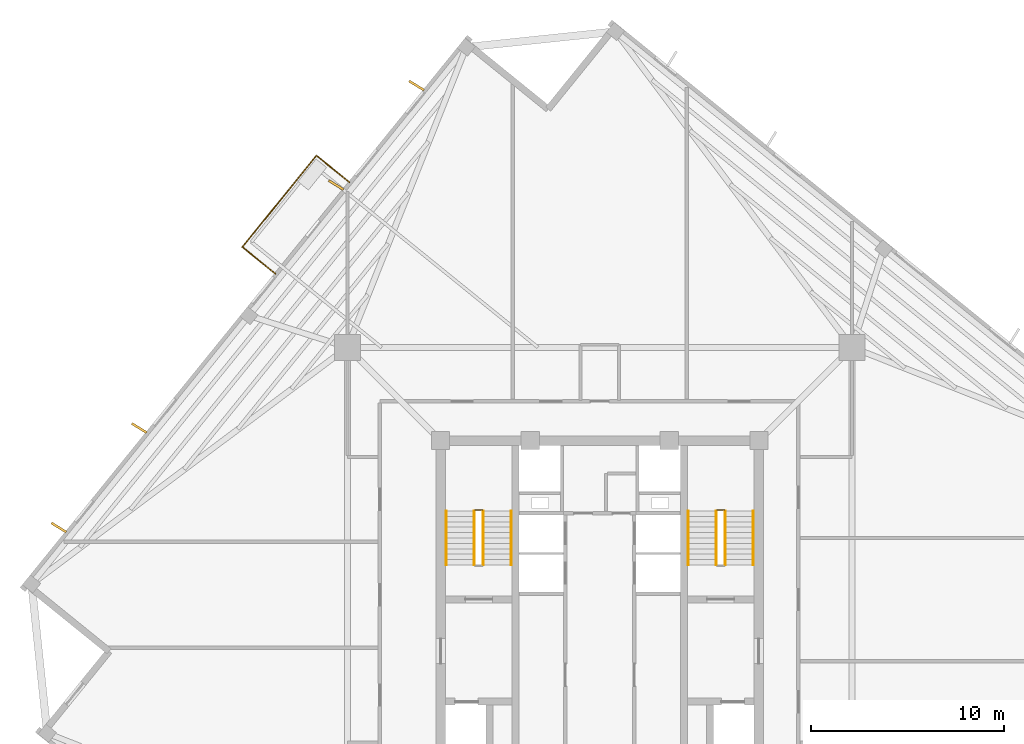
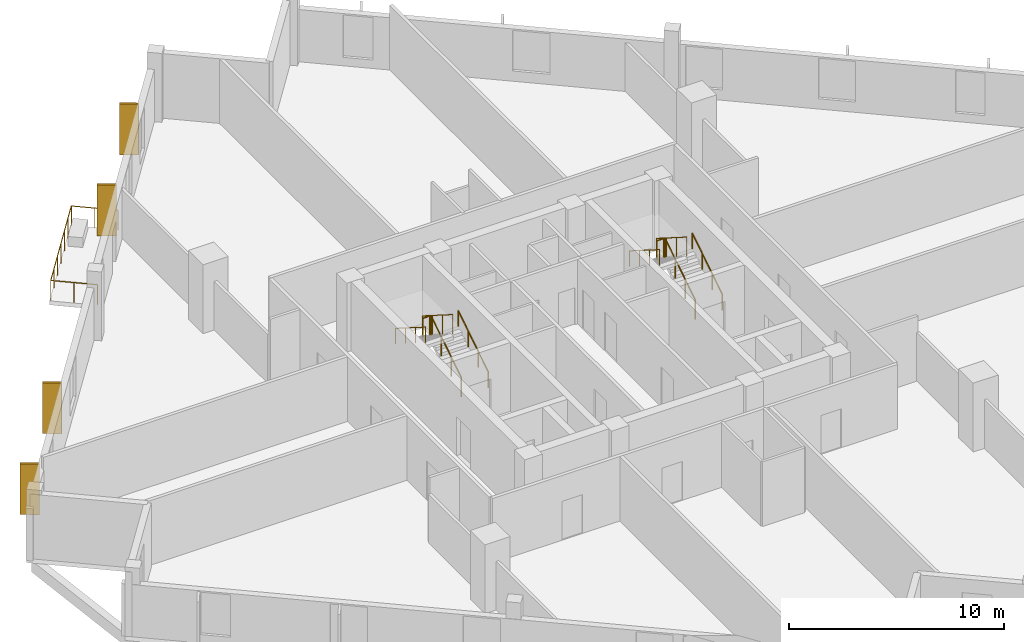
# One storey, part 8 of 9: 13 railings, 4 coverings.
"""IFC4 building model written with IfcOpenShell, lengths in metres."""

from ifc_helpers import new_model, si_unit, direction, frame, origin, origin_2d, place, context, subcontext, project, spatial, rectangle, circle, extrude, source, transform, mapped, material, layer, layer_set, type_object, element, save


model = new_model("IFC4")

# Units and contexts
model_context = context("Model", 3, precision=1e-05, world=origin(), true_north=direction((0.0, 1.0)))
body_context = subcontext(model_context, "Body", "Model", "MODEL_VIEW")
ifc_project = project(units=[si_unit("LENGTHUNIT", "METRE"), si_unit("AREAUNIT", "SQUARE_METRE"), si_unit("VOLUMEUNIT", "CUBIC_METRE"), si_unit("PLANEANGLEUNIT", "RADIAN"), si_unit("MASSUNIT", "GRAM", prefix="KILO"), si_unit("THERMODYNAMICTEMPERATUREUNIT", "KELVIN")], contexts=[model_context])

# Site, building, storey
site_placement = place(None, origin())
site = spatial("IfcSite", under=ifc_project, at=site_placement, CompositionType="ELEMENT")
building_placement = place(site_placement, origin())
building = spatial("IfcBuilding", under=site, at=building_placement, Name="Kosmvard Interchange Tower", CompositionType="ELEMENT")
storey_placement = place(building_placement, frame((0.0, 0.0, 236.800048828125)))
storey = spatial("IfcBuildingStorey", under=building, at=storey_placement, Name="L57", CompositionType="ELEMENT", Elevation=236.800048828125)

# Railings
ifc_material_1 = material(Name="Steel S355", Category="steel")
railing_type_1 = type_object("IfcRailingType", Name="Observation & Balcony Glass-Infill Balustrade 1150", PredefinedType="BALUSTRADE", material=ifc_material_1)
shared_shape_1 = source(origin(), body_context, "Body", "SweptSolid", [
    extrude(circle(Radius=0.02392578125, at=origin_2d()), frame((0.0, 0.0, 1.1259765625), z_axis=(0.777195763313, -0.629258885904, 0.0), x_axis=(0.629258885904, 0.777195763313, 0.0)), (0.0, 0.0, 1.0), 2.199951171875),
    extrude(circle(Radius=0.02099609375, at=origin_2d()), origin(), (0.0, 0.0, 1.0), 1.101806640625),
    extrude(circle(Radius=0.02099609375, at=origin_2d()), frame((0.85498046875, -0.692138671875, 0.0)), (0.0, 0.0, 1.0), 1.101806640625),
    extrude(circle(Radius=0.02099609375, at=origin_2d()), frame((1.709716796875, -1.38427734375, 0.0)), (0.0, 0.0, 1.0), 1.101806640625),
])
railing_1_placement = place(storey_placement, frame((-18.523193359375, 18.281005859375, 0.0)))
element("IfcRailing", 1, at=railing_1_placement, inside=storey, type_object=railing_type_1, Name="L57 Outdoor Terrace Guard BAL-L57-N-C", PredefinedType="BALUSTRADE", context=body_context, shape_type="MappedRepresentation", body=[
    mapped(shared_shape_1, transform((0.0, 0.0, 0.0), scale=1.0)),
])
shared_shape_2 = source(origin(), body_context, "Body", "SweptSolid", [
    extrude(circle(Radius=0.02392578125, at=origin_2d()), frame((0.0, 0.0, 1.1259765625), z_axis=(-0.777141488432, 0.629325914736, 0.0), x_axis=(-0.629325914736, -0.777141488432, 0.0)), (0.0, 0.0, 1.0), 2.199951171875),
    extrude(circle(Radius=0.02099609375, at=origin_2d()), origin(), (0.0, 0.0, 1.0), 1.101806640625),
    extrude(circle(Radius=0.02099609375, at=origin_2d()), frame((-0.85498046875, 0.6923828125, 0.0)), (0.0, 0.0, 1.0), 1.101806640625),
    extrude(circle(Radius=0.02099609375, at=origin_2d()), frame((-1.709716796875, 1.384521484375, 0.0)), (0.0, 0.0, 1.0), 1.101806640625),
])
railing_2_placement = place(storey_placement, frame((-12.974853515625, 21.63720703125, 0.0)))
element("IfcRailing", 2, at=railing_2_placement, inside=storey, type_object=railing_type_1, Name="L57 Outdoor Terrace Guard BAL-L57-N-A", PredefinedType="BALUSTRADE", context=body_context, shape_type="MappedRepresentation", body=[
    mapped(shared_shape_2, transform((0.0, 0.0, 0.0), scale=1.0)),
])

# Coverings
ifc_material_2 = material(Name="Architectural anodised aluminium", Category="aluminium")
ifc_layer = layer(ifc_material_2, 0.1201171875, Name="Architectural anodised aluminium")
ifc_layer_set = layer_set([ifc_layer], Name="Architectural anodised aluminium")
covering_type = type_object("IfcCoveringType", Name="Rotating Vertical Sun-Breaker Fin 900x120 Aluminium", PredefinedType="CLADDING", material=ifc_layer_set)
shared_shape_3 = source(origin(), body_context, "Body", "SweptSolid", [
    extrude(rectangle(XDim=0.89990234375, YDim=0.1201171875, at=origin_2d()), origin(), (0.0, 0.0, 1.0), 2.8798828125),
])
for number, where, z_axis, x_axis, name in (
    (3, (-9.494384765625, 26.650146484375, 0.0400390625), (0.0, 0.0, 1.0), (-0.852092537724, 0.523391160753, 0.0), "L57 Rotating Vertical Sun-Breaker Fin 09"),
    (4, (-13.66748046875, 21.49658203125, 0.0400390625), (0.0, 0.0, 1.0), (-0.852092537724, 0.523391160753, 0.0), "L57 Rotating Vertical Sun-Breaker Fin 10"),
    (5, (-23.86865234375, 8.8994140625, 0.0400390625), (0.0, 0.0, 1.0), (-0.852092537724, 0.523391160753, 0.0), "L57 Rotating Vertical Sun-Breaker Fin 11"),
    (6, (-28.041748046875, 3.74609375, 0.0400390625), (0.0, 0.0, 1.0), (-0.852092537724, 0.523391160753, 0.0), "L57 Rotating Vertical Sun-Breaker Fin 12"),
):
    element("IfcCovering", number, at=place(storey_placement, frame(where, z_axis=z_axis, x_axis=x_axis)), inside=storey, type_object=covering_type, Name=name, PredefinedType="CLADDING", context=body_context, shape_type="MappedRepresentation", body=[
        mapped(shared_shape_3, transform((0.0, 0.0, 0.0), scale=1.0)),
    ])

# Railings
shared_shape_4 = source(origin(), body_context, "Body", "SweptSolid", [
    extrude(circle(Radius=0.02392578125, at=origin_2d()), frame((0.0, 0.0, 1.1259765625), z_axis=(-0.629286879001, -0.777173097783, 0.0), x_axis=(0.777173097783, -0.629286879001, 0.0)), (0.0, 0.0, 1.0), 6.099853515625),
    extrude(circle(Radius=0.02099609375, at=origin_2d()), origin(), (0.0, 0.0, 1.0), 1.101806640625),
    extrude(circle(Radius=0.02099609375, at=origin_2d()), frame((-0.6396484375, -0.7900390625, 0.0)), (0.0, 0.0, 1.0), 1.101806640625),
    extrude(circle(Radius=0.02099609375, at=origin_2d()), frame((-1.279541015625, -1.580322265625, 0.0)), (0.0, 0.0, 1.0), 1.101806640625),
    extrude(circle(Radius=0.02099609375, at=origin_2d()), frame((-1.91943359375, -2.370361328125, 0.0)), (0.0, 0.0, 1.0), 1.101806640625),
    extrude(circle(Radius=0.02099609375, at=origin_2d()), frame((-2.55908203125, -3.160400390625, 0.0)), (0.0, 0.0, 1.0), 1.101806640625),
    extrude(circle(Radius=0.02099609375, at=origin_2d()), frame((-3.19873046875, -3.95068359375, 0.0)), (0.0, 0.0, 1.0), 1.101806640625),
    extrude(circle(Radius=0.02099609375, at=origin_2d()), frame((-3.838623046875, -4.74072265625, 0.0)), (0.0, 0.0, 1.0), 1.101806640625),
])
railing_3_placement = place(storey_placement, frame((-14.6845703125, 23.021728515625, 0.0)))
element("IfcRailing", 7, at=railing_3_placement, inside=storey, type_object=railing_type_1, Name="L57 Outdoor Terrace Guard BAL-L57-N-B", PredefinedType="BALUSTRADE", context=body_context, shape_type="MappedRepresentation", body=[
    mapped(shared_shape_4, transform((0.0, 0.0, 0.0), scale=1.0)),
])
railing_type_2 = type_object("IfcRailingType", Name="Stair & Terrace Safety Guardrail 1100 Steel", PredefinedType="GUARDRAIL", material=ifc_material_1)
shared_shape_5 = source(origin(), body_context, "Body", "SweptSolid", [
    extrude(circle(Radius=0.02392578125, at=origin_2d()), frame((0.0, 0.0, 1.076171875), z_axis=(-1.0, 0.0, 0.0), x_axis=(0.0, -1.0, 0.0)), (0.0, 0.0, 1.0), 0.35986328125),
    extrude(circle(Radius=0.02099609375, at=origin_2d()), origin(), (0.0, 0.0, 1.0), 1.052001953125),
    extrude(circle(Radius=0.02099609375, at=origin_2d()), frame((-0.35986328125, 0.0, 0.0)), (0.0, 0.0, 1.0), 1.052001953125),
])
for number, where, name in (
    (8, (-6.090087890625, 4.64990234375, 1.949951171875), "L57 ST-1 stair guard 2"),
    (9, (6.449951171875, 4.64990234375, 1.949951171875), "L57 ST-2 stair guard 2"),
):
    element("IfcRailing", number, at=place(storey_placement, frame(where)), inside=storey, type_object=railing_type_2, Name=name, PredefinedType="GUARDRAIL", context=body_context, shape_type="MappedRepresentation", body=[
        mapped(shared_shape_5, transform((0.0, 0.0, 0.0), scale=1.0)),
    ])
shared_shape_6 = source(origin(), body_context, "Body", "SweptSolid", [
    extrude(circle(Radius=0.02392578125, at=origin_2d()), frame((0.0, 0.0, 1.076171875), z_axis=(0.0, 0.844908973607, 0.534910110503), x_axis=(-1.0, 0.0, 0.0)), (0.0, 0.0, 1.0), 3.31396484375),
    extrude(circle(Radius=0.02099609375, at=origin_2d()), origin(), (0.0, 0.0, 1.0), 1.052001953125),
    extrude(circle(Radius=0.02099609375, at=origin_2d()), frame((0.0, 0.933349609375, 0.5908203125)), (0.0, 0.0, 1.0), 1.052001953125),
    extrude(circle(Radius=0.02099609375, at=origin_2d()), frame((0.0, 1.86669921875, 1.181884765625)), (0.0, 0.0, 1.0), 1.052001953125),
    extrude(circle(Radius=0.02099609375, at=origin_2d()), frame((0.0, 2.800048828125, 1.772705078125)), (0.0, 0.0, 1.0), 1.052001953125),
])
for number, where, name in (
    (10, (-6.0400390625, 1.800048828125, 0.17724609375), "L57 ST-1 stair guard 1"),
    (11, (6.5, 1.800048828125, 0.17724609375), "L57 ST-2 stair guard 1"),
):
    element("IfcRailing", number, at=place(storey_placement, frame(where)), inside=storey, type_object=railing_type_2, Name=name, PredefinedType="GUARDRAIL", context=body_context, shape_type="MappedRepresentation", body=[
        mapped(shared_shape_6, transform((0.0, 0.0, 0.0), scale=1.0)),
    ])
shared_shape_7 = source(origin(), body_context, "Body", "SweptSolid", [
    extrude(circle(Radius=0.02392578125, at=origin_2d()), frame((0.0, 0.0, 1.076171875), z_axis=(0.0, -0.844908973607, 0.534910110503), x_axis=(1.0, 0.0, 0.0)), (0.0, 0.0, 1.0), 3.31396484375),
    extrude(circle(Radius=0.02099609375, at=origin_2d()), origin(), (0.0, 0.0, 1.0), 1.052001953125),
    extrude(circle(Radius=0.02099609375, at=origin_2d()), frame((0.0, -0.933349609375, 0.5908203125)), (0.0, 0.0, 1.0), 1.052001953125),
    extrude(circle(Radius=0.02099609375, at=origin_2d()), frame((0.0, -1.86669921875, 1.181884765625)), (0.0, 0.0, 1.0), 1.052001953125),
    extrude(circle(Radius=0.02099609375, at=origin_2d()), frame((0.0, -2.800048828125, 1.772705078125)), (0.0, 0.0, 1.0), 1.052001953125),
])
for number, where, name in (
    (12, (-6.5, 4.60009765625, 2.127197265625), "L57 ST-1 stair guard 3"),
    (13, (6.0400390625, 4.60009765625, 2.127197265625), "L57 ST-2 stair guard 3"),
):
    element("IfcRailing", number, at=place(storey_placement, frame(where)), inside=storey, type_object=railing_type_2, Name=name, PredefinedType="GUARDRAIL", context=body_context, shape_type="MappedRepresentation", body=[
        mapped(shared_shape_7, transform((0.0, 0.0, 0.0), scale=1.0)),
    ])
railing_type_3 = type_object("IfcRailingType", Name="Wall-Mounted Stair Handrail 900 Steel", PredefinedType="HANDRAIL", material=ifc_material_1)
shared_shape_8 = source(origin(), body_context, "Body", "SweptSolid", [
    extrude(circle(Radius=0.02392578125, at=origin_2d()), frame((0.0, 0.0, 0.8759765625), z_axis=(0.0, 0.844908973607, 0.534910110503), x_axis=(-1.0, 0.0, 0.0)), (0.0, 0.0, 1.0), 3.31396484375),
    extrude(circle(Radius=0.02099609375, at=origin_2d()), origin(), (0.0, 0.0, 1.0), 0.851806640625),
    extrude(circle(Radius=0.02099609375, at=origin_2d()), frame((0.0, 0.933349609375, 0.5908203125)), (0.0, 0.0, 1.0), 0.851806640625),
    extrude(circle(Radius=0.02099609375, at=origin_2d()), frame((0.0, 1.86669921875, 1.181884765625)), (0.0, 0.0, 1.0), 0.851806640625),
    extrude(circle(Radius=0.02099609375, at=origin_2d()), frame((0.0, 2.800048828125, 1.772705078125)), (0.0, 0.0, 1.0), 0.851806640625),
])
for number, where, name in (
    (14, (-4.590087890625, 1.800048828125, 0.17724609375), "L57 ST-1 stair handrail 1"),
    (15, (7.949951171875, 1.800048828125, 0.17724609375), "L57 ST-2 stair handrail 1"),
):
    element("IfcRailing", number, at=place(storey_placement, frame(where)), inside=storey, type_object=railing_type_3, Name=name, PredefinedType="HANDRAIL", context=body_context, shape_type="MappedRepresentation", body=[
        mapped(shared_shape_8, transform((0.0, 0.0, 0.0), scale=1.0)),
    ])
shared_shape_9 = source(origin(), body_context, "Body", "SweptSolid", [
    extrude(circle(Radius=0.02392578125, at=origin_2d()), frame((0.0, 0.0, 0.8759765625), z_axis=(0.0, -0.844908973607, 0.534910110503), x_axis=(1.0, 0.0, 0.0)), (0.0, 0.0, 1.0), 3.31396484375),
    extrude(circle(Radius=0.02099609375, at=origin_2d()), origin(), (0.0, 0.0, 1.0), 0.851806640625),
    extrude(circle(Radius=0.02099609375, at=origin_2d()), frame((0.0, -0.933349609375, 0.5908203125)), (0.0, 0.0, 1.0), 0.851806640625),
    extrude(circle(Radius=0.02099609375, at=origin_2d()), frame((0.0, -1.86669921875, 1.181884765625)), (0.0, 0.0, 1.0), 0.851806640625),
    extrude(circle(Radius=0.02099609375, at=origin_2d()), frame((0.0, -2.800048828125, 1.772705078125)), (0.0, 0.0, 1.0), 0.851806640625),
])
for number, where, name in (
    (16, (-7.949951171875, 4.60009765625, 2.127197265625), "L57 ST-1 stair handrail 2"),
    (17, (4.590087890625, 4.60009765625, 2.127197265625), "L57 ST-2 stair handrail 2"),
):
    element("IfcRailing", number, at=place(storey_placement, frame(where)), inside=storey, type_object=railing_type_3, Name=name, PredefinedType="HANDRAIL", context=body_context, shape_type="MappedRepresentation", body=[
        mapped(shared_shape_9, transform((0.0, 0.0, 0.0), scale=1.0)),
    ])

save(model, "model.ifc")
